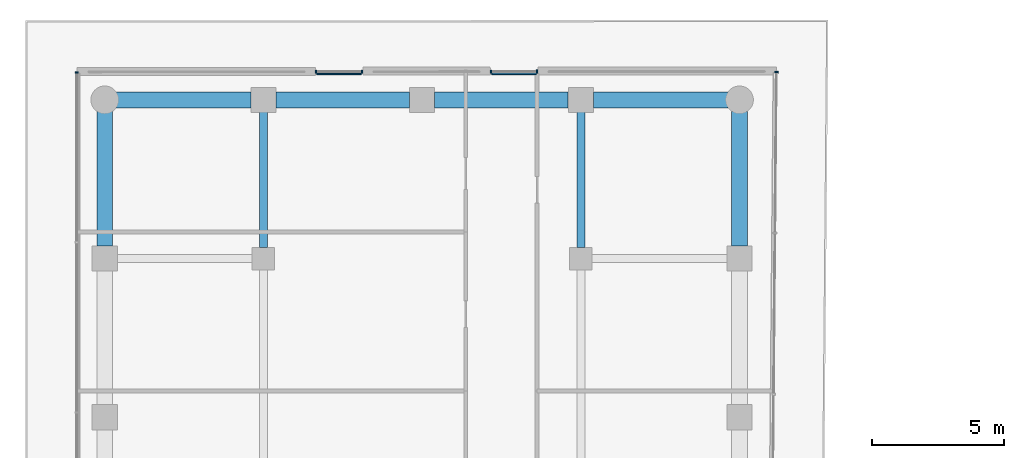
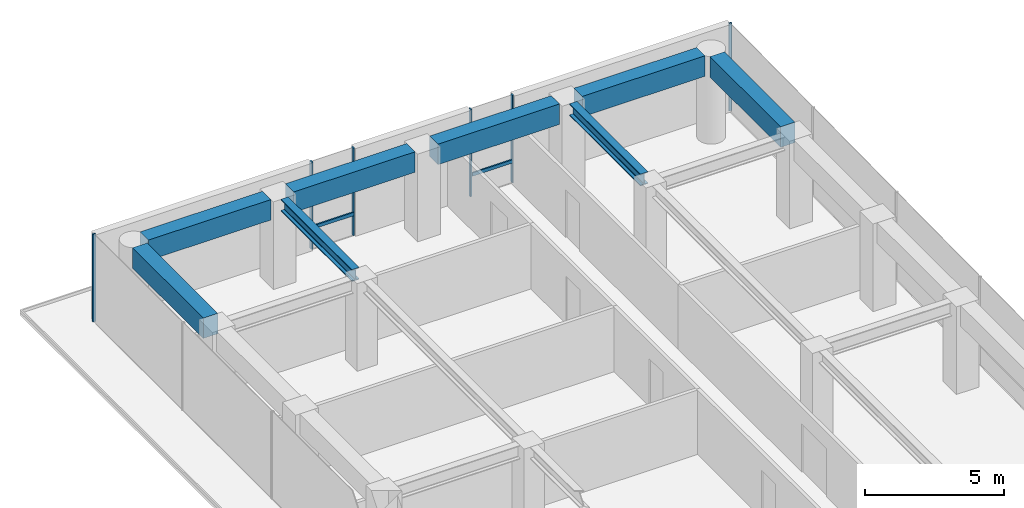
# One storey, part 21 of 29: 8 beams, 8 members, 4 elements without a shape of their own.
"""IFC4 building model written with IfcOpenShell, lengths in metres."""

from ifc_helpers import new_model, si_unit, direction, frame, origin, origin_2d, place, context, subcontext, project, spatial, rectangle, i_section, extrude, material, layer, layer_set, material_profile, profile_set, type_object, element, aggregate, save


model = new_model("IFC4")

# Units and contexts
model_context = context("Model", 3, precision=1e-05, world=origin(), true_north=direction((0.0, 1.0)))
body_context = subcontext(model_context, "Body", "Model", "MODEL_VIEW")
ifc_project = project(units=[si_unit("LENGTHUNIT", "METRE"), si_unit("AREAUNIT", "SQUARE_METRE"), si_unit("VOLUMEUNIT", "CUBIC_METRE"), si_unit("PLANEANGLEUNIT", "RADIAN"), si_unit("MASSUNIT", "GRAM", prefix="KILO")], contexts=[model_context])

# Site, building, storey
site_placement = place(None, origin())
site = spatial("IfcSite", under=ifc_project, at=site_placement, CompositionType="ELEMENT")
building_placement = place(site_placement, origin())
building = spatial("IfcBuilding", under=site, at=building_placement, Name="Welwitschia Terrace Campus", CompositionType="ELEMENT")
storey_placement = place(building_placement, frame((0.0, 0.0, 50.0)))
storey = spatial("IfcBuildingStorey", under=building, at=storey_placement, Name="L11", CompositionType="ELEMENT", Elevation=50.0)

# Beams
ifc_material_1 = material(Name="Steel S355", Category="steel")
ifc_material_profile_1 = material_profile(ifc_material_1, i_section(OverallWidth=0.305908203125, OverallDepth=0.52392578125, WebThickness=0.02099609375, FlangeThickness=0.0400390625, FilletRadius=0.027099609375, at=origin_2d()))
ifc_profile_set_1 = profile_set([ifc_material_profile_1], Name="Steel S355")
beam_type_1 = type_object("IfcBeamType", Name="Interior girder HE 500 M", PredefinedType="BEAM", material=ifc_profile_set_1)
for number, where, z_axis, x_axis, name in (
    (1, (6.0, 56.425537109375, 3.587890625), (0.0, 1.0, 0.0), (-1.0, 0.0, 0.0), "Girder GB2"),
    (2, (18.0, 56.425537109375, 3.587890625), (0.0, 1.0, 0.0), (-1.0, 0.0, 0.0), "Girder GB2"),
):
    element("IfcBeam", number, at=place(storey_placement, frame(where, z_axis=z_axis, x_axis=x_axis)), inside=storey, type_object=beam_type_1, Name=name, PredefinedType="BEAM", context=body_context, shape_type="SweptSolid", body=[
        extrude(i_section(OverallWidth=0.305908203125, OverallDepth=0.52392578125, WebThickness=0.02099609375, FlangeThickness=0.0400390625, FilletRadius=0.027099609375, at=origin_2d()), origin(), (0.0, 0.0, 1.0), 5.10888671875),
    ])

# Curtain wall, member
ifc_material_2 = material(Name="Bronze anodised aluminium", Category="aluminium")
ifc_layer = layer(ifc_material_2, 0.1201171875)
ifc_layer_set = layer_set([ifc_layer], Name="Bronze anodised aluminium")
curtain_wall_type = type_object("IfcCurtainWallType", Name="Curtain wall CW2 tower 6000", PredefinedType="NOTDEFINED", material=ifc_layer_set)
curtain_wall_1_placement = place(storey_placement, origin())
curtain_wall_1 = element("IfcCurtainWall", 3, at=curtain_wall_1_placement, inside=storey, type_object=curtain_wall_type, Name="CW L11.8.0", PredefinedType="NOTDEFINED")
ifc_material_3 = material(Name="Bronze anodised aluminium", Category="aluminium")
ifc_material_profile_2 = material_profile(ifc_material_3, rectangle(XDim=0.1201171875, YDim=0.06005859375, at=origin_2d()))
ifc_profile_set_2 = profile_set([ifc_material_profile_2], Name="Bronze anodised aluminium")
member_type_1 = type_object("IfcMemberType", Name="Mullion 60x120", PredefinedType="MULLION", material=ifc_profile_set_2)
member_1_placement = place(storey_placement, frame((25.396240234375, 63.04638671875, 0.0), z_axis=(0.0, 0.0, 1.0), x_axis=(-0.999961923064, 0.008726535498, 0.0)))
member_1 = element("IfcMember", 4, at=member_1_placement, type_object=member_type_1, Name="Mullion L11.8.0.6", PredefinedType="MULLION", context=body_context, shape_type="SweptSolid", body=[
    extrude(rectangle(XDim=0.1201171875, YDim=0.06005859375, at=origin_2d()), origin(), (0.0, 0.0, 1.0), 3.85009765625),
])
aggregate(curtain_wall_1, [member_1])

# Curtain wall, members
curtain_wall_2_placement = place(storey_placement, origin())
curtain_wall_2 = element("IfcCurtainWall", 5, at=curtain_wall_2_placement, inside=storey, type_object=curtain_wall_type, Name="CW L11.9.S0", PredefinedType="NOTDEFINED")
member_2_placement = place(storey_placement, frame((16.345947265625, 63.070068359375, 0.0), z_axis=(0.0, 0.0, 1.0), x_axis=(0.000695650502, -0.999999758035, 0.0)))
member_2 = element("IfcMember", 6, at=member_2_placement, type_object=member_type_1, Name="Mullion L11.9.S0.0", PredefinedType="MULLION", context=body_context, shape_type="SweptSolid", body=[
    extrude(rectangle(XDim=0.1201171875, YDim=0.06005859375, at=origin_2d()), origin(), (0.0, 0.0, 1.0), 3.85009765625),
])
member_3_placement = place(storey_placement, frame((14.60595703125, 63.06884765625, 0.0), z_axis=(0.0, 0.0, 1.0), x_axis=(0.000695650502, -0.999999758035, 0.0)))
member_3 = element("IfcMember", 7, at=member_3_placement, type_object=member_type_1, Name="Mullion L11.9.S0.1", PredefinedType="MULLION", context=body_context, shape_type="SweptSolid", body=[
    extrude(rectangle(XDim=0.1201171875, YDim=0.06005859375, at=origin_2d()), origin(), (0.0, 0.0, 1.0), 3.85009765625),
])

curtain_wall_3_placement = place(storey_placement, origin())
curtain_wall_3 = element("IfcCurtainWall", 8, at=curtain_wall_3_placement, inside=storey, type_object=curtain_wall_type, Name="CW L11.9.S1", PredefinedType="NOTDEFINED")
member_4_placement = place(storey_placement, frame((9.732421875, 63.0654296875, 0.0), z_axis=(0.0, 0.0, 1.0), x_axis=(0.000695650502, -0.999999758035, 0.0)))
member_4 = element("IfcMember", 9, at=member_4_placement, type_object=member_type_1, Name="Mullion L11.9.S1.0", PredefinedType="MULLION", context=body_context, shape_type="SweptSolid", body=[
    extrude(rectangle(XDim=0.1201171875, YDim=0.06005859375, at=origin_2d()), origin(), (0.0, 0.0, 1.0), 3.85009765625),
])
member_5_placement = place(storey_placement, frame((7.992431640625, 63.064208984375, 0.0), z_axis=(0.0, 0.0, 1.0), x_axis=(0.000695650502, -0.999999758035, 0.0)))
member_5 = element("IfcMember", 10, at=member_5_placement, type_object=member_type_1, Name="Mullion L11.9.S1.1", PredefinedType="MULLION", context=body_context, shape_type="SweptSolid", body=[
    extrude(rectangle(XDim=0.1201171875, YDim=0.06005859375, at=origin_2d()), origin(), (0.0, 0.0, 1.0), 3.85009765625),
])

# Curtain wall, member
curtain_wall_4_placement = place(storey_placement, origin())
curtain_wall_4 = element("IfcCurtainWall", 11, at=curtain_wall_4_placement, inside=storey, type_object=curtain_wall_type, Name="CW L11.10.0", PredefinedType="NOTDEFINED")
member_6_placement = place(storey_placement, frame((-1.05810546875, 63.028076171875, 0.0), z_axis=(0.0, 0.0, 1.0), x_axis=(1.0, 0.0, 0.0)))
member_6 = element("IfcMember", 12, at=member_6_placement, type_object=member_type_1, Name="Mullion L11.10.0.0", PredefinedType="MULLION", context=body_context, shape_type="SweptSolid", body=[
    extrude(rectangle(XDim=0.1201171875, YDim=0.06005859375, at=origin_2d()), origin(), (0.0, 0.0, 1.0), 3.85009765625),
])
aggregate(curtain_wall_4, [member_6])

# Beams
ifc_material_4 = material(Name="Concrete C60/75", Category="concrete")
ifc_material_profile_3 = material_profile(ifc_material_4, rectangle(XDim=0.60009765625, YDim=0.89990234375, at=origin_2d()))
ifc_profile_set_3 = profile_set([ifc_material_profile_3], Name="Concrete C60/75")
beam_type_2 = type_object("IfcBeamType", Name="Ring spandrel 600x900", PredefinedType="SPANDREL", material=ifc_profile_set_3)
for number, where, z_axis, x_axis, name in (
    (13, (24.0, 56.4755859375, 3.39990234375), (0.0, 1.0, 0.0), (-1.0, 0.0, 0.0), "Spandrel SP2"),
    (14, (23.568603515625, 62.0, 3.39990234375), (-1.0, 0.0, 0.0), (0.0, -1.0, 0.0), "Spandrel SP2"),
):
    element("IfcBeam", number, at=place(storey_placement, frame(where, z_axis=z_axis, x_axis=x_axis)), inside=storey, type_object=beam_type_2, Name=name, PredefinedType="SPANDREL", context=body_context, shape_type="SweptSolid", body=[
        extrude(rectangle(XDim=0.60009765625, YDim=0.89990234375, at=origin_2d()), origin(), (0.0, 0.0, 1.0), 5.093017578125),
    ])
for number, where, z_axis, x_axis, name in (
    (15, (17.5244140625, 62.0, 3.39990234375), (-1.0, 0.0, 0.0), (0.0, -1.0, 0.0), "Spandrel SP2"),
    (16, (11.5244140625, 62.0, 3.39990234375), (-1.0, 0.0, 0.0), (0.0, -1.0, 0.0), "Spandrel SP2"),
):
    element("IfcBeam", number, at=place(storey_placement, frame(where, z_axis=z_axis, x_axis=x_axis)), inside=storey, type_object=beam_type_2, Name=name, PredefinedType="SPANDREL", context=body_context, shape_type="SweptSolid", body=[
        extrude(rectangle(XDim=0.60009765625, YDim=0.89990234375, at=origin_2d()), origin(), (0.0, 0.0, 1.0), 5.048828125),
    ])
for number, where, z_axis, x_axis, name in (
    (17, (5.5244140625, 62.0, 3.39990234375), (-1.0, 0.0, 0.0), (0.0, -1.0, 0.0), "Spandrel SP2"),
    (18, (0.0, 61.568603515625, 3.39990234375), (0.0, -1.0, 0.0), (1.0, 0.0, 0.0), "Spandrel SP2"),
):
    element("IfcBeam", number, at=place(storey_placement, frame(where, z_axis=z_axis, x_axis=x_axis)), inside=storey, type_object=beam_type_2, Name=name, PredefinedType="SPANDREL", context=body_context, shape_type="SweptSolid", body=[
        extrude(rectangle(XDim=0.60009765625, YDim=0.89990234375, at=origin_2d()), origin(), (0.0, 0.0, 1.0), 5.093017578125),
    ])

# Member
ifc_material_5 = material(Name="Bronze anodised aluminium", Category="aluminium")
ifc_material_profile_4 = material_profile(ifc_material_5, rectangle(XDim=0.06005859375, YDim=0.14990234375, at=origin_2d()))
ifc_profile_set_4 = profile_set([ifc_material_profile_4], Name="Bronze anodised aluminium")
member_type_2 = type_object("IfcMemberType", Name="Transom 60x150", PredefinedType="USERDEFINED", material=ifc_profile_set_4)
member_7_placement = place(storey_placement, frame((16.316162109375, 62.97998046875, 1.0), z_axis=(-0.999999736075, -0.000726532793, 0.0), x_axis=(0.000726532793, -0.999999736075, 0.0)))
member_7 = element("IfcMember", 19, at=member_7_placement, type_object=member_type_2, Name="Transom L11.9.S0", ObjectType="TRANSOM", PredefinedType="USERDEFINED", context=body_context, shape_type="SweptSolid", body=[
    extrude(rectangle(XDim=0.06005859375, YDim=0.14990234375, at=origin_2d()), origin(), (0.0, 0.0, 1.0), 1.68017578125),
])

aggregate(curtain_wall_2, [member_2, member_3, member_7])

member_8_placement = place(storey_placement, frame((9.702392578125, 62.975341796875, 1.0), z_axis=(-0.999999831039, -0.000581310758, 0.0), x_axis=(0.000581310758, -0.999999831039, 0.0)))
member_8 = element("IfcMember", 20, at=member_8_placement, type_object=member_type_2, Name="Transom L11.9.S1", ObjectType="TRANSOM", PredefinedType="USERDEFINED", context=body_context, shape_type="SweptSolid", body=[
    extrude(rectangle(XDim=0.06005859375, YDim=0.14990234375, at=origin_2d()), origin(), (0.0, 0.0, 1.0), 1.679931640625),
])

aggregate(curtain_wall_3, [member_4, member_5, member_8])

save(model, "model.ifc")
